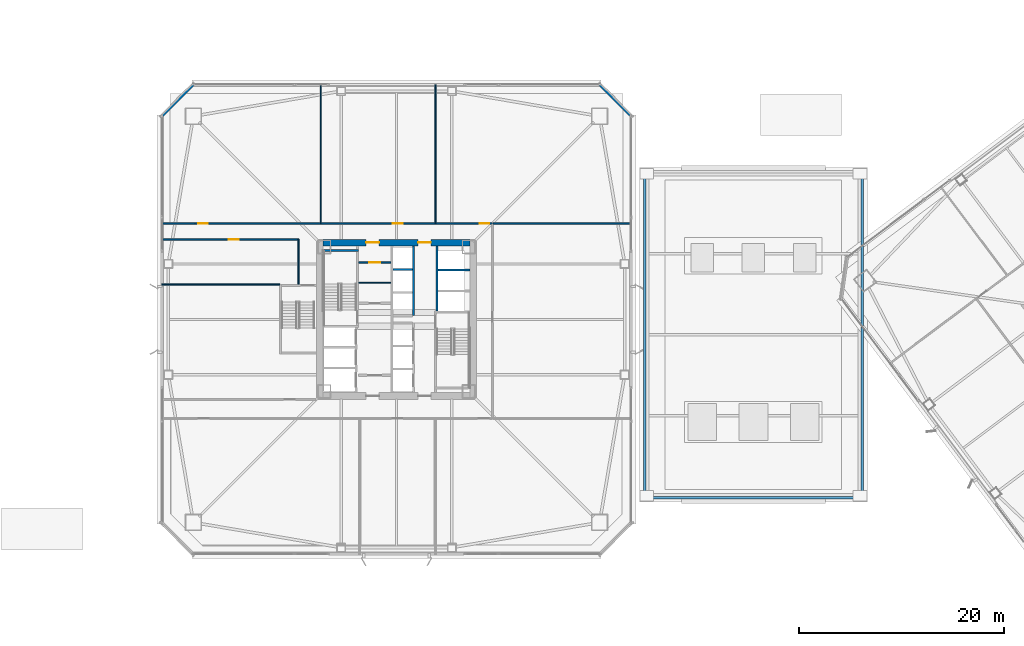
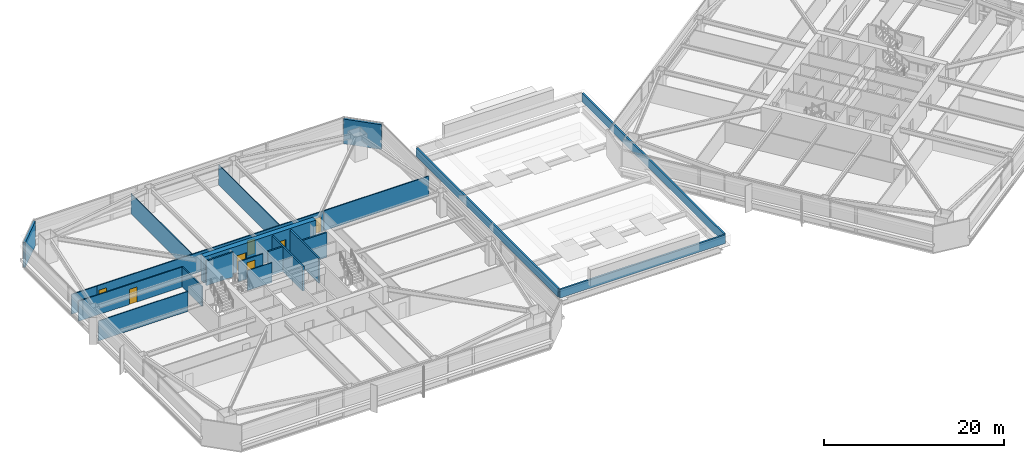
# One storey, part 44 of 62: 21 walls, 7 doors, 7 openings.
"""IFC4 building model written with IfcOpenShell, lengths in metres."""

from ifc_helpers import new_model, si_unit, direction, frame, frame_2d, origin, place, context, subcontext, project, spatial, rectangle, extrude, material, layer, layer_set, type_object, element, fill, save


model = new_model("IFC4")

# Units and contexts
model_context = context("Model", 3, precision=1e-05, world=origin(), true_north=direction((0.0, 1.0)))
body_context = subcontext(model_context, "Body", "Model", "MODEL_VIEW")
ifc_project = project(units=[si_unit("LENGTHUNIT", "METRE"), si_unit("AREAUNIT", "SQUARE_METRE"), si_unit("VOLUMEUNIT", "CUBIC_METRE"), si_unit("PLANEANGLEUNIT", "RADIAN"), si_unit("MASSUNIT", "GRAM", prefix="KILO")], contexts=[model_context])

# Site, building, storey
site_placement = place(None, origin())
site = spatial("IfcSite", under=ifc_project, at=site_placement, CompositionType="ELEMENT")
building_placement = place(site_placement, origin())
building = spatial("IfcBuilding", under=site, at=building_placement, Name="Tashvorn Skyway Center", CompositionType="ELEMENT")
storey_placement = place(building_placement, frame((0.0, 0.0, 28.14990234375)))
storey = spatial("IfcBuildingStorey", under=building, at=storey_placement, Name="L06", CompositionType="ELEMENT", Elevation=28.14990234375)

# Wall, openings, doors
ifc_material_1 = material(Name="Concrete C60/75", Category="concrete")
ifc_layer_1 = layer(ifc_material_1, 0.64990234375)
ifc_layer_set_1 = layer_set([ifc_layer_1], Name="Concrete C60/75")
wall_type_1 = type_object("IfcWallType", Name="WALL-CORE-650", PredefinedType="SHEAR", material=ifc_layer_set_1)
wall_1_placement = place(storey_placement, frame((34.85009765625, 39.47509765625, 0.0), z_axis=(0.0, 0.0, 1.0), x_axis=(1.0, 0.0, 0.0)))
wall_1 = element("IfcWall", 1, at=wall_1_placement, inside=storey, type_object=wall_type_1, Name="Tower 1 L06 North Core Shear Wall", PredefinedType="SHEAR", context=body_context, shape_type="SweptSolid", body=[
    extrude(rectangle(XDim=14.2998046875, YDim=0.64990234375, at=frame_2d((7.14990234375, 0.0))), origin(), (0.0, 0.0, 1.0), 3.550048828125),
])
opening_1_placement = place(wall_1_placement, frame((4.199951171875, 0.0, 0.0)))
opening_1 = element("IfcOpeningElement", 2, at=opening_1_placement, cuts=wall_1, Name="Opening D-FFL-1250", PredefinedType="OPENING", context=body_context, shape_type="SweptSolid", body=[
    extrude(rectangle(XDim=1.25, YDim=2.25, at=frame_2d((0.625, 1.125))), frame((0.0, 0.3349609375, 0.0), z_axis=(0.0, -1.0, 0.0), x_axis=(1.0, 0.0, 0.0)), (0.0, 0.0, 1.0), 0.669921875),
])
opening_2_placement = place(wall_1_placement, frame((9.25, 0.0, 0.0)))
opening_2 = element("IfcOpeningElement", 3, at=opening_2_placement, cuts=wall_1, Name="Opening D-FFL-1250", PredefinedType="OPENING", context=body_context, shape_type="SweptSolid", body=[
    extrude(rectangle(XDim=1.25, YDim=2.25, at=frame_2d((0.625, 1.125))), frame((0.0, 0.3349609375, 0.0), z_axis=(0.0, -1.0, 0.0), x_axis=(1.0, 0.0, 0.0)), (0.0, 0.0, 1.0), 0.669921875),
])
ifc_material_2 = material(Name="Hollow galvanized steel fire door assembly", Category="steel")
door_type_1 = type_object("IfcDoorType", Name="DOOR-FFL-1250", OperationType="NOTDEFINED", PredefinedType="DOOR", material=ifc_material_2)
door_1_placement = place(opening_1_placement, origin())
door_1 = element("IfcDoor", 4, at=door_1_placement, inside=storey, type_object=door_type_1, Name="Tower 1 L06 Core North Service Lobby Door", OperationType="SINGLE_SWING_LEFT", OverallHeight=2.25, OverallWidth=1.25, PredefinedType="DOOR", context=body_context, shape_type="SweptSolid", body=[
    extrude(rectangle(XDim=1.25, YDim=2.25, at=frame_2d((0.625, 1.125))), frame((0.0, 0.02490234375, 0.0), z_axis=(0.0, -1.0, 0.0), x_axis=(1.0, 0.0, 0.0)), (0.0, 0.0, 1.0), 0.050048828125),
])
fill(opening_1, door_1)
door_2_placement = place(opening_2_placement, origin())
door_2 = element("IfcDoor", 5, at=door_2_placement, inside=storey, type_object=door_type_1, Name="Tower 1 L06 Core North Lift Lobby Door", OperationType="SINGLE_SWING_RIGHT", OverallHeight=2.25, OverallWidth=1.25, PredefinedType="DOOR", context=body_context, shape_type="SweptSolid", body=[
    extrude(rectangle(XDim=1.25, YDim=2.25, at=frame_2d((0.625, 1.125))), frame((0.0, 0.02490234375, 0.0), z_axis=(0.0, -1.0, 0.0), x_axis=(1.0, 0.0, 0.0)), (0.0, 0.0, 1.0), 0.050048828125),
])
fill(opening_2, door_2)

# Walls
ifc_material_3 = material(Name="Precast concrete C40/50", Category="concrete")
ifc_layer_2 = layer(ifc_material_3, 0.280029296875)
ifc_layer_set_2 = layer_set([ifc_layer_2], Name="Precast concrete C40/50")
wall_type_2 = type_object("IfcWallType", Name="WALL-EXT-280", PredefinedType="SOLIDWALL", material=ifc_layer_set_2)
for number, where, z_axis, x_axis, name in (
    (6, (19.10009765625, 51.800048828125, 0.0), (0.0, 0.0, 1.0), (0.707106781187, 0.707106781187, 0.0), "Tower 1 L06 NW Precast Chamfer Wall"),
    (7, (61.800048828125, 54.89990234375, 0.0), (0.0, 0.0, 1.0), (0.707106781187, -0.707106781187, 0.0), "Tower 1 L06 NE Precast Chamfer Wall"),
):
    element("IfcWall", number, at=place(storey_placement, frame(where, z_axis=z_axis, x_axis=x_axis)), inside=storey, type_object=wall_type_2, Name=name, PredefinedType="SOLIDWALL", context=body_context, shape_type="SweptSolid", body=[
        extrude(rectangle(XDim=4.3837890625, YDim=0.280029296875, at=frame_2d((2.19189453125, 0.0))), origin(), (0.0, 0.0, 1.0), 3.35009765625),
    ])
ifc_layer_3 = layer(ifc_material_3, 0.239990234375)
ifc_layer_set_3 = layer_set([ifc_layer_3], Name="Precast concrete C40/50")
wall_type_3 = type_object("IfcWallType", Name="WALL-PARA-240", PredefinedType="PARAPET", material=ifc_layer_set_3)
wall_2_placement = place(storey_placement, frame((87.39990234375, 14.6201171875, 1.9501953125), z_axis=(0.0, 0.0, 1.0), x_axis=(-1.0, 0.0, 0.0)))
element("IfcWall", 8, at=wall_2_placement, inside=storey, type_object=wall_type_3, Name="Station Concourse Monitor Roof Parapet S", PredefinedType="PARAPET", context=body_context, shape_type="SweptSolid", body=[
    extrude(rectangle(XDim=21.199951171875, YDim=0.239990234375, at=frame_2d((10.60009765625, 0.0))), origin(), (0.0, 0.0, 1.0), 1.14990234375),
])
for number, where, z_axis, x_axis, name in (
    (9, (66.199951171875, 14.800048828125, 1.9501953125), (0.0, 0.0, 1.0), (0.0, 1.0, 0.0), "Station Concourse Monitor Roof Parapet W"),
    (10, (87.39990234375, 46.199951171875, 1.9501953125), (0.0, 0.0, 1.0), (0.0, -1.0, 0.0), "Station Concourse Monitor Roof Parapet E"),
):
    element("IfcWall", number, at=place(storey_placement, frame(where, z_axis=z_axis, x_axis=x_axis)), inside=storey, type_object=wall_type_3, Name=name, PredefinedType="PARAPET", context=body_context, shape_type="SweptSolid", body=[
        extrude(rectangle(XDim=31.39990234375, YDim=0.239990234375, at=frame_2d((15.699951171875, 0.0))), origin(), (0.0, 0.0, 1.0), 1.14990234375),
    ])
ifc_material_4 = material(Name="Gypsum board on cold-formed steel stud framing", Category="steel")
ifc_layer_4 = layer(ifc_material_4, 0.110107421875)
ifc_layer_set_4 = layer_set([ifc_layer_4], Name="Gypsum board on cold-formed steel stud framing")
wall_type_4 = type_object("IfcWallType", Name="WALL-PART-110", PredefinedType="PARTITIONING", material=ifc_layer_set_4)
for number, where, z_axis, x_axis, name in (
    (11, (34.60009765625, 41.429931640625, 0.0), (0.0, 0.0, 1.0), (0.0, 1.0, 0.0), "Tower 1 L06 North Suite Partition 1"),
    (12, (45.800048828125, 41.429931640625, 0.0), (0.0, 0.0, 1.0), (0.0, 1.0, 0.0), "Tower 1 L06 North Suite Partition 2"),
):
    element("IfcWall", number, at=place(storey_placement, frame(where, z_axis=z_axis, x_axis=x_axis)), inside=storey, type_object=wall_type_4, Name=name, PredefinedType="PARTITIONING", context=body_context, shape_type="SweptSolid", body=[
        extrude(rectangle(XDim=13.449951171875, YDim=0.110107421875, at=frame_2d((6.72509765625, 0.0))), origin(), (0.0, 0.0, 1.0), 2.703125),
    ])
wall_3_placement = place(storey_placement, frame((30.60009765625, 35.39990234375, 0.0), z_axis=(0.0, 0.0, 1.0), x_axis=(-1.0, 0.0, 0.0)))
element("IfcWall", 13, at=wall_3_placement, inside=storey, type_object=wall_type_4, Name="Tower 1 L06 West Suite Partition 1", PredefinedType="PARTITIONING", context=body_context, shape_type="SweptSolid", body=[
    extrude(rectangle(XDim=11.47998046875, YDim=0.110107421875, at=frame_2d((5.739990234375, 0.0))), origin(), (0.0, 0.0, 1.0), 2.703125),
])
ifc_layer_5 = layer(ifc_material_4, 0.135009765625)
ifc_layer_set_5 = layer_set([ifc_layer_5], Name="Gypsum board on cold-formed steel stud framing")
wall_type_5 = type_object("IfcWallType", Name="WALL-PART-135", PredefinedType="PARTITIONING", material=ifc_layer_set_5)
wall_4_placement = place(storey_placement, frame((32.449951171875, 35.39990234375, 0.0), z_axis=(0.0, 0.0, 1.0), x_axis=(0.0, 1.0, 0.0)))
element("IfcWall", 14, at=wall_4_placement, inside=storey, type_object=wall_type_5, Name="Tower 1 L06 Stair 3 Access Corridor Wall", PredefinedType="PARTITIONING", context=body_context, shape_type="SweptSolid", body=[
    extrude(rectangle(XDim=4.400146484375, YDim=0.135009765625, at=frame_2d((2.2001953125, 0.0))), origin(), (0.0, 0.0, 1.0), 2.703125),
])

# Wall, openings, doors
wall_5_placement = place(storey_placement, frame((22.35009765625, 41.35009765625, 0.0), z_axis=(0.0, 0.0, 1.0), x_axis=(1.0, 0.0, 0.0)))
wall_5 = element("IfcWall", 15, at=wall_5_placement, inside=storey, type_object=wall_type_5, Name="Tower 1 L06 North Suite Wall", PredefinedType="PARTITIONING", context=body_context, shape_type="SweptSolid", body=[
    extrude(rectangle(XDim=29.0, YDim=0.135009765625, at=frame_2d((14.5, 0.0))), origin(), (0.0, 0.0, 1.0), 2.703125),
])
opening_3_placement = place(wall_5_placement, frame((0.300048828125, 0.0, 0.0)))
opening_3 = element("IfcOpeningElement", 16, at=opening_3_placement, cuts=wall_5, Name="Opening D-INT-950", PredefinedType="OPENING", context=body_context, shape_type="SweptSolid", body=[
    extrude(rectangle(XDim=0.949951171875, YDim=2.050048828125, at=frame_2d((0.47509765625, 1.02490234375))), frame((0.0, 0.077392578125, 0.0), z_axis=(0.0, -1.0, 0.0), x_axis=(1.0, 0.0, 0.0)), (0.0, 0.0, 1.0), 0.155029296875),
])
opening_4_placement = place(wall_5_placement, frame((19.298583984375, 0.0, 0.0)))
opening_4 = element("IfcOpeningElement", 17, at=opening_4_placement, cuts=wall_5, Name="Opening D-INT-950", PredefinedType="OPENING", context=body_context, shape_type="SweptSolid", body=[
    extrude(rectangle(XDim=0.949951171875, YDim=2.050048828125, at=frame_2d((0.47509765625, 1.02490234375))), frame((0.0, 0.077392578125, 0.0), z_axis=(0.0, -1.0, 0.0), x_axis=(1.0, 0.0, 0.0)), (0.0, 0.0, 1.0), 0.155029296875),
])
opening_5_placement = place(wall_5_placement, frame((27.75, 0.0, 0.0)))
opening_5 = element("IfcOpeningElement", 18, at=opening_5_placement, cuts=wall_5, Name="Opening D-INT-950", PredefinedType="OPENING", context=body_context, shape_type="SweptSolid", body=[
    extrude(rectangle(XDim=0.949951171875, YDim=2.050048828125, at=frame_2d((0.47509765625, 1.02490234375))), frame((0.0, 0.077392578125, 0.0), z_axis=(0.0, -1.0, 0.0), x_axis=(1.0, 0.0, 0.0)), (0.0, 0.0, 1.0), 0.155029296875),
])
ifc_material_5 = material(Name="Solid-core architectural oak veneer door")
door_type_2 = type_object("IfcDoorType", Name="DOOR-INT-950", OperationType="NOTDEFINED", PredefinedType="DOOR", material=ifc_material_5)
door_3_placement = place(opening_3_placement, origin())
door_3 = element("IfcDoor", 19, at=door_3_placement, inside=storey, type_object=door_type_2, Name="Tower 1 L06 Open Plan Office Door", OperationType="SINGLE_SWING_LEFT", OverallHeight=2.050048828125, OverallWidth=0.949951171875, PredefinedType="DOOR", context=body_context, shape_type="SweptSolid", body=[
    extrude(rectangle(XDim=0.949951171875, YDim=2.050048828125, at=frame_2d((0.47509765625, 1.02490234375))), frame((0.0, 0.02490234375, 0.0), z_axis=(0.0, -1.0, 0.0), x_axis=(1.0, 0.0, 0.0)), (0.0, 0.0, 1.0), 0.050048828125),
])
fill(opening_3, door_3)
door_4_placement = place(opening_4_placement, origin())
door_4 = element("IfcDoor", 20, at=door_4_placement, inside=storey, type_object=door_type_2, Name="Tower 1 L06 Open Plan Office Door", OperationType="SINGLE_SWING_RIGHT", OverallHeight=2.050048828125, OverallWidth=0.949951171875, PredefinedType="DOOR", context=body_context, shape_type="SweptSolid", body=[
    extrude(rectangle(XDim=0.949951171875, YDim=2.050048828125, at=frame_2d((0.47509765625, 1.02490234375))), frame((0.0, 0.02490234375, 0.0), z_axis=(0.0, -1.0, 0.0), x_axis=(1.0, 0.0, 0.0)), (0.0, 0.0, 1.0), 0.050048828125),
])
fill(opening_4, door_4)
door_5_placement = place(opening_5_placement, origin())
door_5 = element("IfcDoor", 21, at=door_5_placement, inside=storey, type_object=door_type_2, Name="Tower 1 L06 Catering Pantry Door", OperationType="SINGLE_SWING_LEFT", OverallHeight=2.050048828125, OverallWidth=0.949951171875, PredefinedType="DOOR", context=body_context, shape_type="SweptSolid", body=[
    extrude(rectangle(XDim=0.949951171875, YDim=2.050048828125, at=frame_2d((0.47509765625, 1.02490234375))), frame((0.0, 0.02490234375, 0.0), z_axis=(0.0, -1.0, 0.0), x_axis=(1.0, 0.0, 0.0)), (0.0, 0.0, 1.0), 0.050048828125),
])
fill(opening_5, door_5)

# Walls
wall_6_placement = place(storey_placement, frame((19.1201171875, 41.35009765625, 0.0), z_axis=(0.0, 0.0, 1.0), x_axis=(1.0, 0.0, 0.0)))
element("IfcWall", 22, at=wall_6_placement, inside=storey, type_object=wall_type_5, Name="Tower 1 L06 North-West Suite South Wall", PredefinedType="PARTITIONING", context=body_context, shape_type="SweptSolid", body=[
    extrude(rectangle(XDim=3.22998046875, YDim=0.135009765625, at=frame_2d((1.614990234375, 0.0))), origin(), (0.0, 0.0, 1.0), 2.703125),
])
wall_7_placement = place(storey_placement, frame((64.8798828125, 41.35009765625, 0.0), z_axis=(0.0, 0.0, 1.0), x_axis=(-1.0, 0.0, 0.0)))
element("IfcWall", 23, at=wall_7_placement, inside=storey, type_object=wall_type_5, Name="Tower 1 L06 East Suite North Wall", PredefinedType="PARTITIONING", context=body_context, shape_type="SweptSolid", body=[
    extrude(rectangle(XDim=13.449951171875, YDim=0.135009765625, at=frame_2d((6.72509765625, 0.0))), origin(), (0.0, 0.0, 1.0), 2.703125),
])

# Wall, opening, door
wall_8_placement = place(storey_placement, frame((32.449951171875, 39.800048828125, 0.0), z_axis=(0.0, 0.0, 1.0), x_axis=(-1.0, 0.0, 0.0)))
wall_8 = element("IfcWall", 24, at=wall_8_placement, inside=storey, type_object=wall_type_5, Name="Tower 1 L06 West Suite North Wall", PredefinedType="PARTITIONING", context=body_context, shape_type="SweptSolid", body=[
    extrude(rectangle(XDim=13.329833984375, YDim=0.135009765625, at=frame_2d((6.6650390625, 0.0))), origin(), (0.0, 0.0, 1.0), 2.703125),
])
opening_6_placement = place(wall_8_placement, frame((5.840087890625, 0.0, 0.0)))
opening_6 = element("IfcOpeningElement", 25, at=opening_6_placement, cuts=wall_8, Name="Opening D-INT-950", PredefinedType="OPENING", context=body_context, shape_type="SweptSolid", body=[
    extrude(rectangle(XDim=0.949951171875, YDim=2.050048828125, at=frame_2d((0.47509765625, 1.02490234375))), frame((0.0, 0.077392578125, 0.0), z_axis=(0.0, -1.0, 0.0), x_axis=(1.0, 0.0, 0.0)), (0.0, 0.0, 1.0), 0.155029296875),
])
door_6_placement = place(opening_6_placement, origin())
door_6 = element("IfcDoor", 26, at=door_6_placement, inside=storey, type_object=door_type_2, Name="Tower 1 L06 Staff Fitness Club Door", OperationType="SINGLE_SWING_RIGHT", OverallHeight=2.050048828125, OverallWidth=0.949951171875, PredefinedType="DOOR", context=body_context, shape_type="SweptSolid", body=[
    extrude(rectangle(XDim=0.949951171875, YDim=2.050048828125, at=frame_2d((0.47509765625, 1.02490234375))), frame((0.0, 0.02490234375, 0.0), z_axis=(0.0, -1.0, 0.0), x_axis=(1.0, 0.0, 0.0)), (0.0, 0.0, 1.0), 0.050048828125),
])
fill(opening_6, door_6)

# Wall
ifc_layer_6 = layer(ifc_material_4, 0.110107421875)
ifc_layer_set_6 = layer_set([ifc_layer_6], Name="Gypsum board on cold-formed steel stud framing")
wall_type_6 = type_object("IfcWallType", Name="WALL-RATED-110", PredefinedType="PARTITIONING", material=ifc_layer_set_6)
wall_9_placement = place(storey_placement, frame((38.300048828125, 35.550048828125, 0.0), z_axis=(0.0, 0.0, 1.0), x_axis=(1.0, 0.0, 0.0)))
element("IfcWall", 27, at=wall_9_placement, inside=storey, type_object=wall_type_6, Name="Tower 1 L06 Core Transverse Wall", PredefinedType="PARTITIONING", context=body_context, shape_type="SweptSolid", body=[
    extrude(rectangle(XDim=3.14990234375, YDim=0.110107421875, at=frame_2d((1.574951171875, 0.0))), origin(), (0.0, 0.0, 1.0), 2.703125),
])

# Wall, opening, door
ifc_layer_7 = layer(ifc_material_4, 0.135009765625)
ifc_layer_set_7 = layer_set([ifc_layer_7], Name="Gypsum board on cold-formed steel stud framing")
wall_type_7 = type_object("IfcWallType", Name="WALL-RATED-135", PredefinedType="PARTITIONING", material=ifc_layer_set_7)
wall_10_placement = place(storey_placement, frame((38.300048828125, 37.550048828125, 0.0), z_axis=(0.0, 0.0, 1.0), x_axis=(1.0, 0.0, 0.0)))
wall_10 = element("IfcWall", 28, at=wall_10_placement, inside=storey, type_object=wall_type_7, Name="Tower 1 L06 Core Service Lobby Wall", PredefinedType="PARTITIONING", context=body_context, shape_type="SweptSolid", body=[
    extrude(rectangle(XDim=3.14990234375, YDim=0.135009765625, at=frame_2d((1.574951171875, 0.0))), origin(), (0.0, 0.0, 1.0), 2.703125),
])
opening_7_placement = place(wall_10_placement, frame((1.050048828125, 0.0, 0.0)))
opening_7 = element("IfcOpeningElement", 29, at=opening_7_placement, cuts=wall_10, Name="Opening D-RT-1050", PredefinedType="OPENING", context=body_context, shape_type="SweptSolid", body=[
    extrude(rectangle(XDim=1.050048828125, YDim=2.199951171875, at=frame_2d((0.52490234375, 1.10009765625))), frame((0.0, 0.077392578125, 0.0), z_axis=(0.0, -1.0, 0.0), x_axis=(1.0, 0.0, 0.0)), (0.0, 0.0, 1.0), 0.155029296875),
])
door_type_3 = type_object("IfcDoorType", Name="DOOR-RATED-1050", OperationType="NOTDEFINED", PredefinedType="DOOR", material=ifc_material_2)
door_7_placement = place(opening_7_placement, origin())
door_7 = element("IfcDoor", 30, at=door_7_placement, inside=storey, type_object=door_type_3, Name="Tower 1 L06 Core Accessible WC Door", OperationType="SINGLE_SWING_RIGHT", OverallHeight=2.199951171875, OverallWidth=1.050048828125, PredefinedType="DOOR", context=body_context, shape_type="SweptSolid", body=[
    extrude(rectangle(XDim=1.050048828125, YDim=2.199951171875, at=frame_2d((0.52490234375, 1.10009765625))), frame((0.0, 0.02490234375, 0.0), z_axis=(0.0, -1.0, 0.0), x_axis=(1.0, 0.0, 0.0)), (0.0, 0.0, 1.0), 0.050048828125),
])
fill(opening_7, door_7)

# Walls
ifc_material_6 = material(Name="Concrete C40/50", Category="concrete")
ifc_layer_8 = layer(ifc_material_6, 0.199951171875)
ifc_layer_set_8 = layer_set([ifc_layer_8], Name="Concrete C40/50")
wall_type_8 = type_object("IfcWallType", Name="WALL-SHAFT-200", PredefinedType="SOLIDWALL", material=ifc_layer_set_8)
wall_11_placement = place(storey_placement, frame((46.050048828125, 36.800048828125, 0.0), z_axis=(0.0, 0.0, 1.0), x_axis=(1.0, 0.0, 0.0)))
element("IfcWall", 31, at=wall_11_placement, inside=storey, type_object=wall_type_8, Name="Tower 1 L06 High-Rise Shaft Divider", PredefinedType="SOLIDWALL", context=body_context, shape_type="SweptSolid", body=[
    extrude(rectangle(XDim=3.099853515625, YDim=0.199951171875, at=frame_2d((1.5498046875, 0.0))), origin(), (0.0, 0.0, 1.0), 3.35009765625),
])
wall_12_placement = place(storey_placement, frame((43.64990234375, 32.35009765625, 0.0), z_axis=(0.0, 0.0, 1.0), x_axis=(0.0, 1.0, 0.0)))
element("IfcWall", 32, at=wall_12_placement, inside=storey, type_object=wall_type_8, Name="Tower 1 L06 Mid-Rise Core Wall", PredefinedType="SOLIDWALL", context=body_context, shape_type="SweptSolid", body=[
    extrude(rectangle(XDim=6.7998046875, YDim=0.199951171875, at=frame_2d((3.39990234375, 0.0))), origin(), (0.0, 0.0, 1.0), 3.35009765625),
])
wall_13_placement = place(storey_placement, frame((41.669921875, 36.85009765625, 0.0), z_axis=(0.0, 0.0, 1.0), x_axis=(1.0, 0.0, 0.0)))
element("IfcWall", 33, at=wall_13_placement, inside=storey, type_object=wall_type_8, Name="Tower 1 L06 Mid-Rise Shaft Divider", PredefinedType="SOLIDWALL", context=body_context, shape_type="SweptSolid", body=[
    extrude(rectangle(XDim=1.880126953125, YDim=0.199951171875, at=frame_2d((0.93994140625, 0.0))), origin(), (0.0, 0.0, 1.0), 3.35009765625),
])
ifc_layer_9 = layer(ifc_material_6, 0.199951171875)
ifc_layer_set_9 = layer_set([ifc_layer_9], Name="Concrete C40/50")
wall_type_9 = type_object("IfcWallType", Name="WALL-STSHF-200", PredefinedType="SHEAR", material=ifc_layer_set_9)
wall_14_placement = place(storey_placement, frame((34.85009765625, 38.699951171875, 0.0), z_axis=(0.0, 0.0, 1.0), x_axis=(1.0, 0.0, 0.0)))
element("IfcWall", 34, at=wall_14_placement, inside=storey, type_object=wall_type_9, Name="Tower 1 L06 Stair 1 North Wall", PredefinedType="SHEAR", context=body_context, shape_type="SweptSolid", body=[
    extrude(rectangle(XDim=3.449951171875, YDim=0.199951171875, at=frame_2d((1.72509765625, 0.0))), origin(), (0.0, 0.0, 1.0), 3.35009765625),
])
wall_15_placement = place(storey_placement, frame((45.949951171875, 39.14990234375, 0.0), z_axis=(0.0, 0.0, 1.0), x_axis=(0.0, -1.0, 0.0)))
element("IfcWall", 35, at=wall_15_placement, inside=storey, type_object=wall_type_9, Name="Tower 1 L06 High-Rise Lift Shaft Front Wall", PredefinedType="SHEAR", context=body_context, shape_type="SweptSolid", body=[
    extrude(rectangle(XDim=6.349853515625, YDim=0.199951171875, at=frame_2d((3.1748046875, 0.0))), origin(), (0.0, 0.0, 1.0), 3.35009765625),
])

save(model, "model.ifc")
